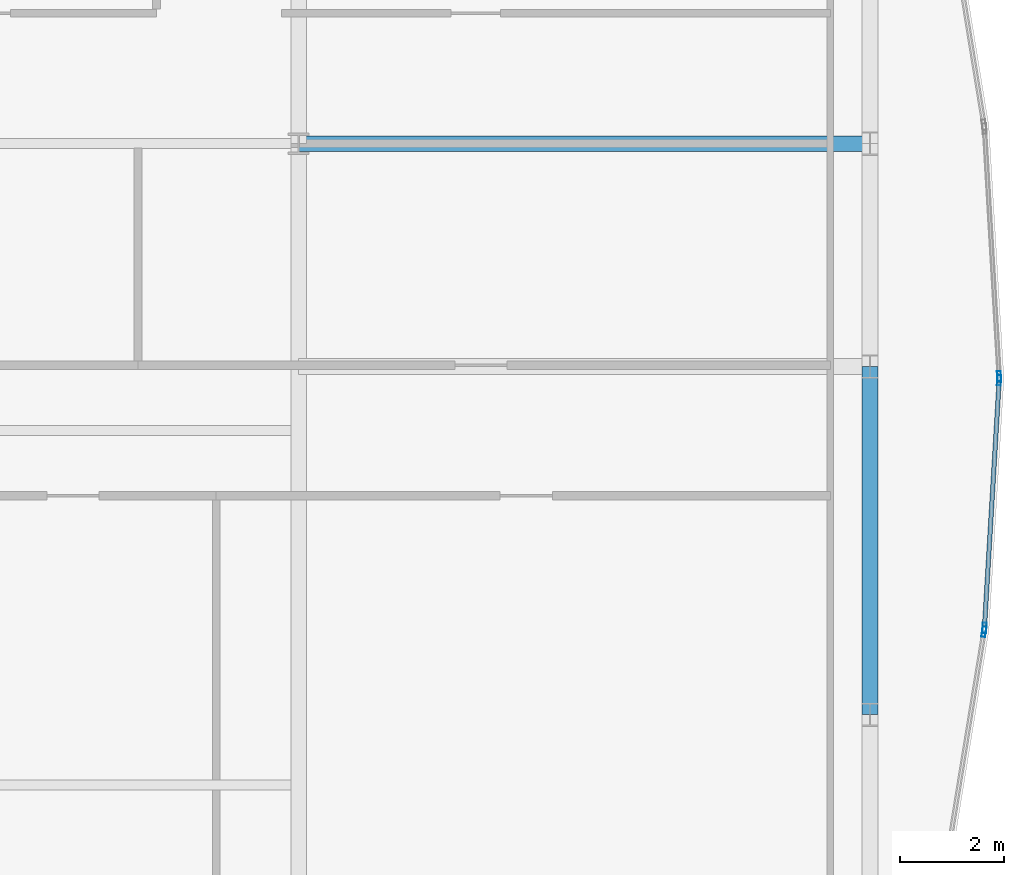
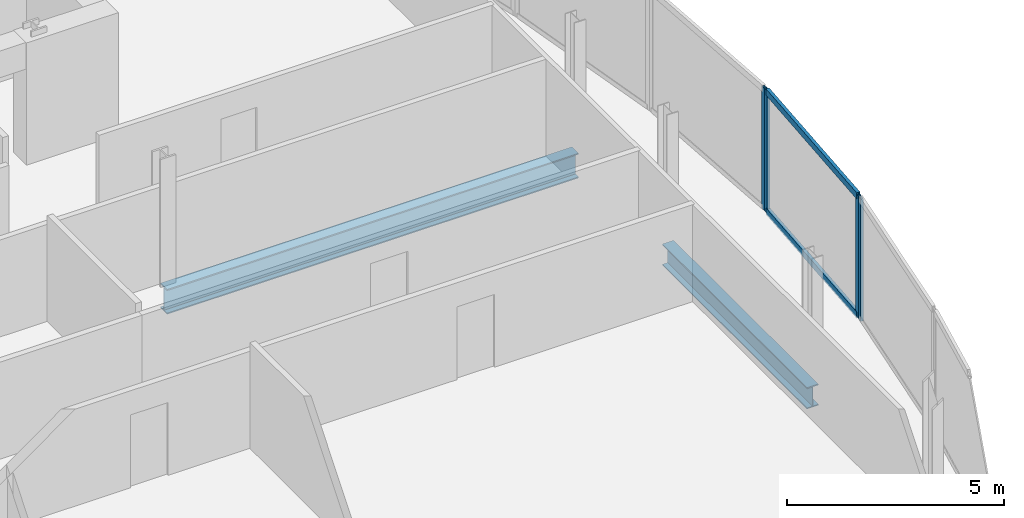
# One storey, part 18 of 30: 6 members, 2 beams, 3 elements without a shape of their own.
"""IFC4 building model written with IfcOpenShell, lengths in metres."""

import ifcopenshell
import ifcopenshell.guid

model = None  # the IFC model being written
_history = None  # IfcOwnerHistory: only IFC2X3 demands one
_inside = {}  # id of a spatial element -> (the spatial element, [elements in it])
_under = {}  # id of a project, library or spatial element -> (it, [spatial elements below it])
_declared = {}  # id of a project -> (the project, [libraries it declares])
_typed = {}  # id of a type object -> (the type object, [elements of that type])
_made_of = {}  # id of a material, layer set ... -> (it, [elements and type objects made of it])


def new_model(schema):
    """Start an empty IFC model of exactly this schema.

    Asked for "IFC4X3", IfcOpenShell would pick the latest addendum, in which some entities
    have other attributes; the version numbers below select the first issue.
    IFC2X3 requires an IfcOwnerHistory on every rooted entity: one is made here for all.
    """
    global model, _history
    if schema == "IFC4X3":
        model = ifcopenshell.file(schema_version=(4, 3, 0, 0))
    else:
        model = ifcopenshell.file(schema=schema)
    _inside.clear()
    _under.clear()
    _declared.clear()
    _typed.clear()
    _made_of.clear()
    _history = None
    if model.schema == "IFC2X3":
        org = make("IfcOrganization", Name="unknown")
        user = make(
            "IfcPersonAndOrganization",
            ThePerson=make("IfcPerson", FamilyName="unknown"),
            TheOrganization=org,
        )
        app = make(
            "IfcApplication",
            ApplicationDeveloper=org,
            Version="unknown",
            ApplicationFullName="unknown",
            ApplicationIdentifier="unknown",
        )
        _history = make(
            "IfcOwnerHistory",
            OwningUser=user,
            OwningApplication=app,
            ChangeAction="ADDED",
            CreationDate=0,
        )
    return model


def make(cls, **values):
    """One entity of the class cls with the attributes given. An attribute that is None is left unset."""
    return model.create_entity(
        cls, **{name: value for name, value in values.items() if value is not None}
    )


def rooted(cls, **values):
    """An entity with a GlobalId (a new one), such as an element, a storey or a relation."""
    return make(cls, GlobalId=ifcopenshell.guid.new(), OwnerHistory=_history, **values)


def si_unit(unit_type, name, prefix=None):
    """IfcSIUnit, for example si_unit("LENGTHUNIT", "METRE", prefix="MILLI")."""
    return make("IfcSIUnit", UnitType=unit_type, Prefix=prefix, Name=name)


def assignment(units):
    """IfcUnitAssignment: the units of a project."""
    return None if units is None else make("IfcUnitAssignment", Units=units)


def point(xyz):
    """IfcCartesianPoint."""
    return None if xyz is None else make("IfcCartesianPoint", Coordinates=xyz)


def direction(xyz):
    """IfcDirection."""
    return None if xyz is None else make("IfcDirection", DirectionRatios=xyz)


def frame(location, z_axis=None, x_axis=None):
    """IfcAxis2Placement3D, a coordinate frame: its origin and axes. An axis left out is left unset."""
    return make(
        "IfcAxis2Placement3D",
        Location=point(location),
        Axis=direction(z_axis),
        RefDirection=direction(x_axis),
    )


def frame_2d(location, x_axis=None):
    """IfcAxis2Placement2D, a coordinate frame in the plane: its origin and x axis."""
    return make(
        "IfcAxis2Placement2D", Location=point(location), RefDirection=direction(x_axis)
    )


def origin():
    """The frame at (0, 0, 0) with its axes left unset."""
    return frame((0.0, 0.0, 0.0))


def origin_2d():
    """The frame at (0, 0) in the plane with its x axis left unset."""
    return frame_2d((0.0, 0.0))


def place(relative_to, where):
    """IfcLocalPlacement: puts the frame where relative to a parent placement (None: the world)."""
    return make(
        "IfcLocalPlacement", PlacementRelTo=relative_to, RelativePlacement=where
    )


def context(
    kind, dimensions, precision=None, world=None, true_north=None, identifier=None
):
    """IfcGeometricRepresentationContext, for example the 3D "Model" context."""
    return make(
        "IfcGeometricRepresentationContext",
        ContextIdentifier=identifier,
        ContextType=kind,
        CoordinateSpaceDimension=dimensions,
        Precision=precision,
        WorldCoordinateSystem=world,
        TrueNorth=true_north,
    )


def subcontext(parent, identifier, kind, view, scale=None):
    """IfcGeometricRepresentationSubContext, for example "Body" below "Model"."""
    return make(
        "IfcGeometricRepresentationSubContext",
        ContextIdentifier=identifier,
        ContextType=kind,
        ParentContext=parent,
        TargetScale=scale,
        TargetView=view,
    )


def project(units=None, contexts=None):
    """IfcProject with its units and contexts."""
    return rooted(
        "IfcProject",
        Name="project",
        RepresentationContexts=contexts,
        UnitsInContext=assignment(units),
    )


def spatial(cls, under=None, at=None, **own):
    """A site, building, storey or space (cls), placed at a placement, below another one or the project."""
    s = rooted(cls, ObjectPlacement=at, **own)
    if under is not None:
        _under.setdefault(under.id(), (under, []))[1].append(s)
    return s


def profile(cls, at=None, kind="AREA", **sizes):
    """A parametric profile (cls). Its sizes go by their IFC names, for example OverallWidth=200.0."""
    return make(cls, ProfileType=kind, Position=at, **sizes)


def hollow_rectangle(**sizes):
    """IfcRectangleHollowProfileDef."""
    return profile("IfcRectangleHollowProfileDef", **sizes)


def i_section(**sizes):
    """IfcIShapeProfileDef."""
    return profile("IfcIShapeProfileDef", **sizes)


def extrude(swept, where, along, depth):
    """IfcExtrudedAreaSolid: the profile swept, set in the frame where, extruded along a direction by depth."""
    return make(
        "IfcExtrudedAreaSolid",
        SweptArea=swept,
        Position=where,
        ExtrudedDirection=direction(along),
        Depth=depth,
    )


def shape(context_of_items, identifier, shape_type, items):
    """IfcShapeRepresentation: the items that make up one representation, for example the "Body"."""
    return make(
        "IfcShapeRepresentation",
        ContextOfItems=context_of_items,
        RepresentationIdentifier=identifier,
        RepresentationType=shape_type,
        Items=items,
    )


def material(Name=None, Category=None):
    """IfcMaterial."""
    return make("IfcMaterial", Name=Name, Category=Category)


def material_profile(
    of_material, cross_section, Name=None, Category=None, Priority=None
):
    """IfcMaterialProfile: a cross section and its material."""
    return make(
        "IfcMaterialProfile",
        Name=Name,
        Material=of_material,
        Profile=cross_section,
        Priority=Priority,
        Category=Category,
    )


def profile_set(profiles, Name=None, composite=None):
    """IfcMaterialProfileSet."""
    return make(
        "IfcMaterialProfileSet",
        Name=Name,
        MaterialProfiles=profiles,
        CompositeProfile=composite,
    )


def made_of(thing, what):
    """Note that an element or type object is made of a material, layer set ...; save() writes the relation."""
    if what is not None:
        _made_of.setdefault(what.id(), (what, []))[1].append(thing)
    return thing


def type_object(cls, material=None, **own):
    """A type object (cls), such as IfcWallType, which elements share."""
    return made_of(rooted(cls, **own), material)


def element(
    cls,
    number,
    at=None,
    inside=None,
    cuts=None,
    type_object=None,
    material=None,
    context=None,
    identifier="Body",
    shape_type=None,
    held_by="IfcProductDefinitionShape",
    body=None,
    shapes=None,
    **own,
):
    """One element of the class cls, such as IfcWall. Its Tag is "e" and its number.

    at: its placement. inside: the storey or other place that contains it. cuts: it is an
    opening in that element (IfcRelVoidsElement). A single representation is given by context,
    identifier, shape_type and body (its items); several are given by shapes. held_by: the class
    of the entity that holds the representations. save() writes the other relations.
    """
    e = rooted(cls, Tag="e%d" % number, ObjectPlacement=at, **own)
    if body is not None:
        shapes = [shape(context, identifier, shape_type, body)]
    if shapes is not None:
        e.Representation = make(held_by, Representations=shapes)
    if inside is not None:
        _inside.setdefault(inside.id(), (inside, []))[1].append(e)
    if cuts is not None:
        rooted(
            "IfcRelVoidsElement", RelatingBuildingElement=cuts, RelatedOpeningElement=e
        )
    if type_object is not None:
        _typed.setdefault(type_object.id(), (type_object, []))[1].append(e)
    return made_of(e, material)


def aggregate(whole, parts):
    """IfcRelAggregates: a whole, such as a stair, and the parts it consists of."""
    return rooted("IfcRelAggregates", RelatingObject=whole, RelatedObjects=parts)


def save(model, path):
    """Write the relations noted so far, then the file.

    IfcRelAggregates (storeys below a building ...), IfcRelContainedInSpatialStructure (elements
    in a storey), IfcRelDefinesByType, IfcRelAssociatesMaterial and IfcRelDeclares: one each for
    every whole, place, type object, material and project.
    """
    for whole, parts in _under.values():
        aggregate(whole, parts)
    for where, things in _inside.values():
        rooted(
            "IfcRelContainedInSpatialStructure",
            RelatedElements=things,
            RelatingStructure=where,
        )
    for kind, things in _typed.values():
        rooted("IfcRelDefinesByType", RelatedObjects=things, RelatingType=kind)
    for what, things in _made_of.values():
        rooted("IfcRelAssociatesMaterial", RelatedObjects=things, RelatingMaterial=what)
    for by, libraries in _declared.values():
        rooted("IfcRelDeclares", RelatingContext=by, RelatedDefinitions=libraries)
    model.write(path)


model = new_model("IFC4")

# Units and contexts
model_context = context("Model", 3, precision=1e-05, world=origin(), true_north=direction((0.0, 1.0)))
body_context = subcontext(model_context, "Body", "Model", "MODEL_VIEW")
ifc_project = project(units=[si_unit("LENGTHUNIT", "METRE"), si_unit("AREAUNIT", "SQUARE_METRE"), si_unit("VOLUMEUNIT", "CUBIC_METRE"), si_unit("PLANEANGLEUNIT", "RADIAN"), si_unit("MASSUNIT", "GRAM", prefix="KILO")], contexts=[model_context])

# Site, building, storey
site_placement = place(None, origin())
site = spatial("IfcSite", under=ifc_project, at=site_placement, CompositionType="ELEMENT")
building_placement = place(site_placement, origin())
building = spatial("IfcBuilding", under=site, at=building_placement, Name="Khoronbel Lancet Exchange", CompositionType="ELEMENT")
storey_placement = place(building_placement, frame((0.0, 0.0, 213.800048828125)))
storey = spatial("IfcBuildingStorey", under=building, at=storey_placement, Name="L54", CompositionType="ELEMENT", Elevation=213.800048828125)

# Beams
ifc_material_1 = material(Name="Steel S355", Category="steel")
ifc_material_profile_1 = material_profile(ifc_material_1, i_section(OverallWidth=0.300048828125, OverallDepth=0.699951171875, WebThickness=0.01708984375, FlangeThickness=0.031982421875, at=origin_2d()), Name="HEB 700")
ifc_profile_set_1 = profile_set([ifc_material_profile_1], Name="Steel S355")
beam_type_1 = type_object("IfcBeamType", Name="BM-BG3", PredefinedType="BEAM", material=ifc_profile_set_1)
beam_1_placement = place(storey_placement, frame((54.675048828125, 35.699951171875, -0.510009765625), z_axis=(1.0, 0.0, 0.0), x_axis=(0.0, 1.0, 0.0)))
element("IfcBeam", 1, at=beam_1_placement, inside=storey, type_object=beam_type_1, Name="Level L54 east lens tie girder LG4E", PredefinedType="BEAM", context=body_context, shape_type="SweptSolid", body=[
    extrude(i_section(OverallWidth=0.300048828125, OverallDepth=0.699951171875, WebThickness=0.01708984375, FlangeThickness=0.031982421875, at=origin_2d()), origin(), (0.0, 0.0, 1.0), 10.954833984375),
])
ifc_material_profile_2 = material_profile(ifc_material_1, i_section(OverallWidth=0.300048828125, OverallDepth=0.60009765625, WebThickness=0.015380859375, FlangeThickness=0.030029296875, at=origin_2d()), Name="HEB 600")
ifc_profile_set_2 = profile_set([ifc_material_profile_2], Name="Steel S355")
beam_type_2 = type_object("IfcBeamType", Name="BM-BSP2", PredefinedType="SPANDREL", material=ifc_profile_set_2)
beam_2_placement = place(storey_placement, frame((65.6298828125, 24.75, -0.4599609375), z_axis=(0.0, 1.0, 0.0), x_axis=(-1.0, 0.0, 0.0)))
element("IfcBeam", 2, at=beam_2_placement, inside=storey, type_object=beam_type_2, Name="Level L54 perimeter spandrel beam SP12", PredefinedType="SPANDREL", context=body_context, shape_type="SweptSolid", body=[
    extrude(i_section(OverallWidth=0.300048828125, OverallDepth=0.60009765625, WebThickness=0.015380859375, FlangeThickness=0.030029296875, at=origin_2d()), origin(), (0.0, 0.0, 1.0), 6.675048828125),
])

# Curtain wall, member
ifc_material_2 = material(Name="Low-E Solar Control Insulating Glass", Category="glass")
curtain_wall_type = type_object("IfcCurtainWallType", Name="CW-4", PredefinedType="NOTDEFINED", material=ifc_material_2)
curtain_wall_1_placement = place(storey_placement, origin())
curtain_wall_1 = element("IfcCurtainWall", 3, at=curtain_wall_1_placement, inside=storey, type_object=curtain_wall_type, Name="Unitised curtain wall CW-L54-E19", PredefinedType="NOTDEFINED")
ifc_material_3 = material(Name="Bronze-Anodised Aluminium 6063-T6", Category="aluminium")
ifc_material_profile_3 = material_profile(ifc_material_3, hollow_rectangle(XDim=0.074951171875, YDim=0.199951171875, WallThickness=0.0048828125, at=origin_2d()), Name="ALU MULLION 75x200")
ifc_profile_set_3 = profile_set([ifc_material_profile_3], Name="Bronze-Anodised Aluminium 6063-T6")
member_type_1 = type_object("IfcMemberType", Name="MEM-CWM2", PredefinedType="MULLION", material=ifc_profile_set_3)
member_1_placement = place(storey_placement, frame((68.107666015625, 31.237548828125, 0.0), z_axis=(0.0, 0.0, 1.0), x_axis=(0.998229555001, 0.059479034311, 0.0)))
member_1 = element("IfcMember", 4, at=member_1_placement, type_object=member_type_1, Name="CW4 mullion 2", PredefinedType="MULLION", context=body_context, shape_type="SweptSolid", body=[
    extrude(hollow_rectangle(XDim=0.074951171875, YDim=0.199951171875, WallThickness=0.0048828125, at=origin_2d()), origin(), (0.0, 0.0, 1.0), 3.43994140625),
])
aggregate(curtain_wall_1, [member_1])

# Curtain wall, members
curtain_wall_2_placement = place(storey_placement, origin())
curtain_wall_2 = element("IfcCurtainWall", 5, at=curtain_wall_2_placement, inside=storey, type_object=curtain_wall_type, Name="Unitised curtain wall CW-L54-E20", PredefinedType="NOTDEFINED")
member_2_placement = place(storey_placement, frame((68.107666015625, 31.16259765625, 0.0), z_axis=(0.0, 0.0, 1.0), x_axis=(0.998229555001, -0.059479034311, 0.0)))
member_2 = element("IfcMember", 6, at=member_2_placement, type_object=member_type_1, Name="CW4 mullion 1", PredefinedType="MULLION", context=body_context, shape_type="SweptSolid", body=[
    extrude(hollow_rectangle(XDim=0.074951171875, YDim=0.199951171875, WallThickness=0.0048828125, at=origin_2d()), origin(), (0.0, 0.0, 1.0), 3.43994140625),
])
member_3_placement = place(storey_placement, frame((67.82470703125, 26.4140625, 0.0), z_axis=(0.0, 0.0, 1.0), x_axis=(0.998229555001, -0.059479034311, 0.0)))
member_3 = element("IfcMember", 7, at=member_3_placement, type_object=member_type_1, Name="CW4 mullion 2", PredefinedType="MULLION", context=body_context, shape_type="SweptSolid", body=[
    extrude(hollow_rectangle(XDim=0.074951171875, YDim=0.199951171875, WallThickness=0.0048828125, at=origin_2d()), origin(), (0.0, 0.0, 1.0), 3.43994140625),
])

# Curtain wall, member
curtain_wall_3_placement = place(storey_placement, origin())
curtain_wall_3 = element("IfcCurtainWall", 8, at=curtain_wall_3_placement, inside=storey, type_object=curtain_wall_type, Name="Unitised curtain wall CW-L54-E21", PredefinedType="NOTDEFINED")
member_4_placement = place(storey_placement, frame((67.81640625, 26.339599609375, 0.0), z_axis=(0.0, 0.0, 1.0), x_axis=(0.987003272186, -0.16070015773, 0.0)))
member_4 = element("IfcMember", 9, at=member_4_placement, type_object=member_type_1, Name="CW4 mullion 1", PredefinedType="MULLION", context=body_context, shape_type="SweptSolid", body=[
    extrude(hollow_rectangle(XDim=0.074951171875, YDim=0.199951171875, WallThickness=0.0048828125, at=origin_2d()), origin(), (0.0, 0.0, 1.0), 3.43994140625),
])
aggregate(curtain_wall_3, [member_4])

# Member
ifc_material_profile_4 = material_profile(ifc_material_3, hollow_rectangle(XDim=0.0849609375, YDim=0.179931640625, WallThickness=0.0048828125, at=origin_2d()), Name="ALU TRANSOM 85x180")
ifc_profile_set_4 = profile_set([ifc_material_profile_4], Name="Bronze-Anodised Aluminium 6063-T6")
member_type_2 = type_object("IfcMemberType", Name="MEM-CWT1", PredefinedType="USERDEFINED", material=ifc_profile_set_4)
member_5_placement = place(storey_placement, frame((68.105224609375, 31.125244140625, 0.04248046875), z_axis=(-0.059443382453, -0.998231678661, 0.0), x_axis=(0.998231678661, -0.059443382453, 0.0)))
member_5 = element("IfcMember", 10, at=member_5_placement, type_object=member_type_2, Name="CW4 transom 1.1", ObjectType="TRANSOM", PredefinedType="USERDEFINED", context=body_context, shape_type="SweptSolid", body=[
    extrude(hollow_rectangle(XDim=0.0849609375, YDim=0.179931640625, WallThickness=0.0048828125, at=origin_2d()), origin(), (0.0, 0.0, 1.0), 4.68212890625),
])

member_6_placement = place(storey_placement, frame((68.105224609375, 31.125244140625, 3.3974609375), z_axis=(-0.059443382453, -0.998231678661, 0.0), x_axis=(0.998231678661, -0.059443382453, 0.0)))
member_6 = element("IfcMember", 11, at=member_6_placement, type_object=member_type_2, Name="CW4 transom 1.2", ObjectType="TRANSOM", PredefinedType="USERDEFINED", context=body_context, shape_type="SweptSolid", body=[
    extrude(hollow_rectangle(XDim=0.0849609375, YDim=0.179931640625, WallThickness=0.0048828125, at=origin_2d()), origin(), (0.0, 0.0, 1.0), 4.68212890625),
])

aggregate(curtain_wall_2, [member_2, member_3, member_5, member_6])

save(model, "model.ifc")
